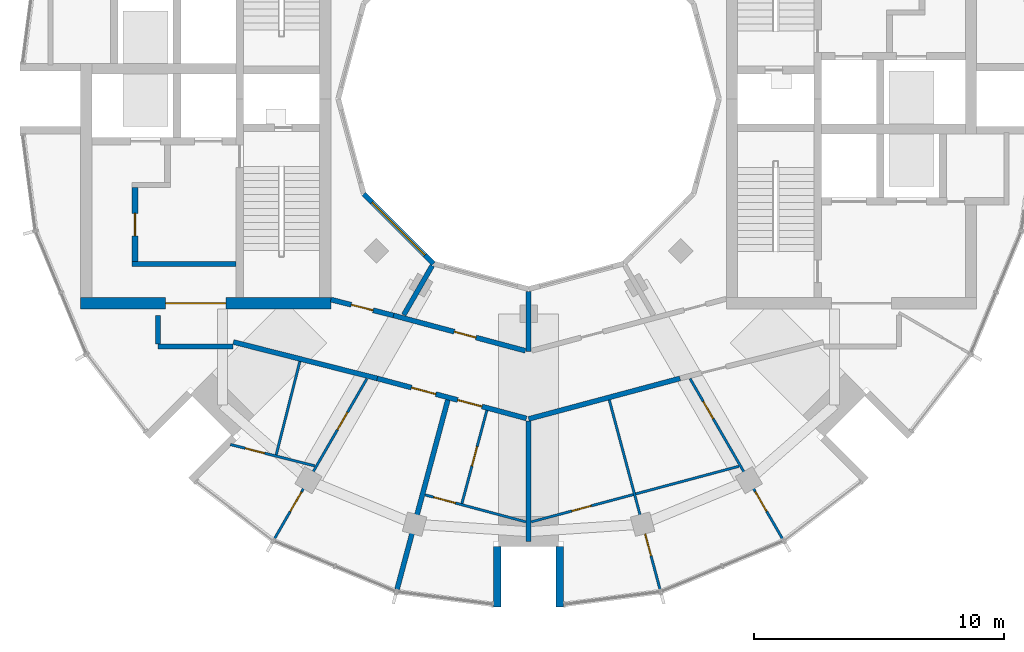
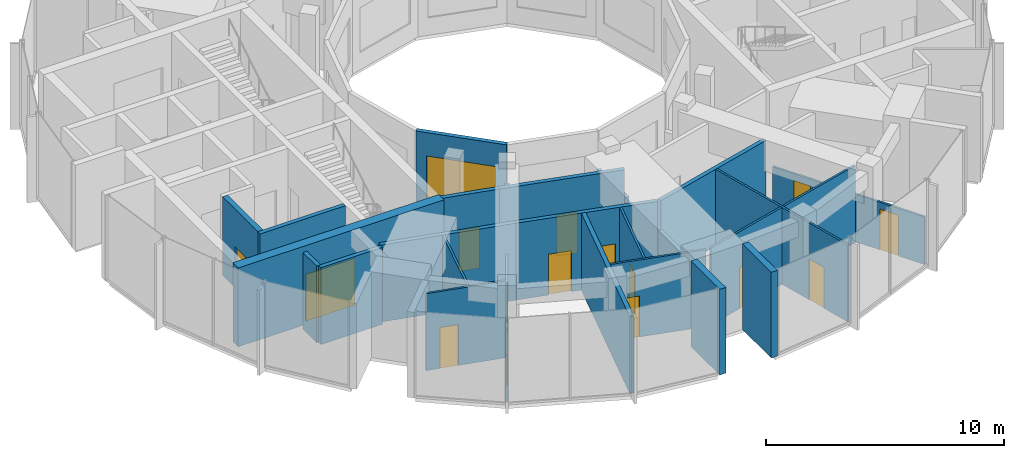
# One storey, part 7 of 13: 25 walls, 15 doors, 1 window, 16 openings.
"""IFC4 building model written with IfcOpenShell, lengths in metres."""

from ifc_helpers import new_model, si_unit, direction, frame, frame_2d, origin, place, context, subcontext, project, spatial, rectangle, extrude, material, layer, layer_set, type_object, element, fill, save


model = new_model("IFC4")

# Units and contexts
model_context = context("Model", 3, precision=1e-05, world=origin(), true_north=direction((0.0, 1.0)))
body_context = subcontext(model_context, "Body", "Model", "MODEL_VIEW")
ifc_project = project(units=[si_unit("LENGTHUNIT", "METRE"), si_unit("AREAUNIT", "SQUARE_METRE"), si_unit("VOLUMEUNIT", "CUBIC_METRE"), si_unit("PLANEANGLEUNIT", "RADIAN"), si_unit("MASSUNIT", "GRAM", prefix="KILO")], contexts=[model_context])

# Site, building, storey
site_placement = place(None, origin())
site = spatial("IfcSite", under=ifc_project, at=site_placement, CompositionType="ELEMENT")
building_placement = place(site_placement, origin())
building = spatial("IfcBuilding", under=site, at=building_placement, Name="Torre Brocal", CompositionType="ELEMENT")
storey_placement = place(building_placement, frame((0.0, 0.0, 323.699951171875)))
storey = spatial("IfcBuildingStorey", under=building, at=storey_placement, Name="L74", CompositionType="ELEMENT", Elevation=323.699951171875)

# Wall
ifc_material_1 = material(Name="Concrete C50", Category="concrete")
ifc_layer_1 = layer(ifc_material_1, 0.199951171875)
ifc_layer_set_1 = layer_set([ifc_layer_1], Name="Concrete C50")
wall_type_1 = type_object("IfcWallType", Name="CORE WALL 200 C50 UNDER 350 SLAB", PredefinedType="SHEAR", material=ifc_layer_set_1)
wall_1_placement = place(storey_placement, frame((68.300048828125, 68.39990234375, 0.0), z_axis=(0.0, 0.0, 1.0), x_axis=(-1.0, 0.0, 0.0)))
element("IfcWall", 1, at=wall_1_placement, inside=storey, type_object=wall_type_1, Name="Wall CW200-50-S350", PredefinedType="SHEAR", context=body_context, shape_type="SweptSolid", body=[
    extrude(rectangle(XDim=4.150146484375, YDim=0.199951171875, at=frame_2d((2.0751953125, 0.0))), origin(), (0.0, 0.0, 1.0), 4.050048828125),
])

# Wall, opening, door
ifc_material_2 = material(Name="Concrete C50", Category="concrete")
ifc_layer_2 = layer(ifc_material_2, 0.25)
ifc_layer_set_2 = layer_set([ifc_layer_2], Name="Concrete C50")
wall_type_2 = type_object("IfcWallType", Name="CORE WALL 250 C50 UNDER 350 SLAB", PredefinedType="SHEAR", material=ifc_layer_set_2)
wall_2_placement = place(storey_placement, frame((64.27490234375, 71.449951171875, 0.0), z_axis=(0.0, 0.0, 1.0), x_axis=(0.0, -1.0, 0.0)))
wall_2 = element("IfcWall", 2, at=wall_2_placement, inside=storey, type_object=wall_type_2, Name="Wall CW250-50-S350", PredefinedType="SHEAR", context=body_context, shape_type="SweptSolid", body=[
    extrude(rectangle(XDim=2.949951171875, YDim=0.25, at=frame_2d((1.47509765625, 0.0))), origin(), (0.0, 0.0, 1.0), 4.050048828125),
])
opening_1_placement = place(wall_2_placement, frame((1.02490234375, 0.0, 0.0)))
opening_1 = element("IfcOpeningElement", 3, at=opening_1_placement, cuts=wall_2, Name="Opening W-D19", PredefinedType="OPENING", context=body_context, shape_type="SweptSolid", body=[
    extrude(rectangle(XDim=0.89990234375, YDim=2.10009765625, at=frame_2d((0.449951171875, 1.050048828125))), frame((0.0, 0.135009765625, 0.0), z_axis=(0.0, -1.0, 0.0), x_axis=(1.0, 0.0, 0.0)), (0.0, 0.0, 1.0), 0.27001953125),
])
ifc_material_3 = material(Name="Steel A653", Category="steel")
door_type_1 = type_object("IfcDoorType", Name="LOBBY DOOR FD120 900X2100", OperationType="SINGLE_SWING_RIGHT", PredefinedType="DOOR", material=ifc_material_3)
door_1_placement = place(opening_1_placement, origin())
door_1 = element("IfcDoor", 4, at=door_1_placement, inside=storey, type_object=door_type_1, Name="Door W-D19", OperationType="SINGLE_SWING_LEFT", OverallHeight=2.10009765625, OverallWidth=0.89990234375, PredefinedType="DOOR", context=body_context, shape_type="SweptSolid", body=[
    extrude(rectangle(XDim=0.89990234375, YDim=2.10009765625, at=frame_2d((0.449951171875, 1.050048828125))), frame((0.0, 0.02490234375, 0.0), z_axis=(0.0, -1.0, 0.0), x_axis=(1.0, 0.0, 0.0)), (0.0, 0.0, 1.0), 0.050048828125),
])
fill(opening_1, door_1)

ifc_material_4 = material(Name="Concrete C50", Category="concrete")
ifc_layer_3 = layer(ifc_material_4, 0.449951171875)
ifc_layer_set_3 = layer_set([ifc_layer_3], Name="Concrete C50")
wall_type_3 = type_object("IfcWallType", Name="CORE WALL 450 C50 UNDER 350 SLAB", PredefinedType="SHEAR", material=ifc_layer_set_3)
wall_3_placement = place(storey_placement, frame((72.10009765625, 66.824951171875, 0.0), z_axis=(0.0, 0.0, 1.0), x_axis=(-1.0, 0.0, 0.0)))
wall_3 = element("IfcWall", 5, at=wall_3_placement, inside=storey, type_object=wall_type_3, Name="Wall CW450-50-S350", PredefinedType="SHEAR", context=body_context, shape_type="SweptSolid", body=[
    extrude(rectangle(XDim=10.0, YDim=0.449951171875, at=frame_2d((5.0, 0.0))), origin(), (0.0, 0.0, 1.0), 4.050048828125),
])
opening_2_placement = place(wall_3_placement, frame((4.199951171875, 0.0, 0.0)))
opening_2 = element("IfcOpeningElement", 6, at=opening_2_placement, cuts=wall_3, Name="Opening W-D23", PredefinedType="OPENING", context=body_context, shape_type="SweptSolid", body=[
    extrude(rectangle(XDim=2.39990234375, YDim=2.39990234375, at=frame_2d((1.199951171875, 1.199951171875))), frame((0.0, 0.23486328125, 0.0), z_axis=(0.0, -1.0, 0.0), x_axis=(1.0, 0.0, 0.0)), (0.0, 0.0, 1.0), 0.469970703125),
])
ifc_material_5 = material(Name="Steel A653", Category="steel")
door_type_2 = type_object("IfcDoorType", Name="DOUBLE FIRE DOOR FD90 2400X2400", OperationType="DOUBLE_DOOR_SINGLE_SWING", PredefinedType="DOOR", material=ifc_material_5)
door_2_placement = place(opening_2_placement, frame((2.39990234375, 0.0, 0.0), z_axis=(0.0, 0.0, 1.0), x_axis=(-1.0, 0.0, 0.0)))
door_2 = element("IfcDoor", 7, at=door_2_placement, inside=storey, type_object=door_type_2, Name="Door W-D23", OperationType="DOUBLE_DOOR_SINGLE_SWING", OverallHeight=2.39990234375, OverallWidth=2.39990234375, PredefinedType="DOOR", context=body_context, shape_type="SweptSolid", body=[
    extrude(rectangle(XDim=2.39990234375, YDim=2.39990234375, at=frame_2d((1.199951171875, 1.199951171875))), frame((0.0, 0.02490234375, 0.0), z_axis=(0.0, -1.0, 0.0), x_axis=(1.0, 0.0, 0.0)), (0.0, 0.0, 1.0), 0.050048828125),
])
fill(opening_2, door_2)

# Walls
ifc_material_6 = material(Name="Concrete C50", Category="concrete")
ifc_layer_4 = layer(ifc_material_6, 0.300048828125)
ifc_layer_set_4 = layer_set([ifc_layer_4], Name="Concrete C50")
wall_type_4 = type_object("IfcWallType", Name="NOTCH RETURN WALL 300 C50", PredefinedType="NOTDEFINED", material=ifc_layer_set_4)
for number, where, z_axis, x_axis, name in (
    (8, (78.75, 57.10009765625, 0.0), (0.0, 0.0, 1.0), (0.0, -1.0, 0.0), "NOTCH RETURN WALL"),
    (9, (81.25, 57.10009765625, 0.0), (0.0, 0.0, 1.0), (0.0, -1.0, 0.0), "NOTCH RETURN WALL"),
):
    element("IfcWall", number, at=place(storey_placement, frame(where, z_axis=z_axis, x_axis=x_axis)), inside=storey, type_object=wall_type_4, Name=name, PredefinedType="NOTDEFINED", context=body_context, shape_type="SweptSolid", body=[
        extrude(rectangle(XDim=2.415771484375, YDim=0.300048828125, at=frame_2d((1.2080078125, 0.0))), origin(), (0.0, 0.0, 1.0), 4.400146484375),
    ])

# Wall, opening, door
ifc_material_7 = material(Name="Gypsum board", Category="Gypsum")
ifc_layer_5 = layer(ifc_material_7, 0.10009765625)
ifc_layer_set_5 = layer_set([ifc_layer_5], Name="Gypsum board")
wall_type_5 = type_object("IfcWallType", Name="PARTITION 100", PredefinedType="PARTITIONING", material=ifc_layer_set_5)
wall_4_placement = place(storey_placement, frame((68.083251953125, 61.18359375, 0.0), z_axis=(0.0, 0.0, 1.0), x_axis=(0.969415105271, -0.245426880503, 0.0)))
wall_4 = element("IfcWall", 10, at=wall_4_placement, inside=storey, type_object=wall_type_5, Name="BATHROOM WALL", PredefinedType="PARTITIONING", context=body_context, shape_type="SweptSolid", body=[
    extrude(rectangle(XDim=3.4755859375, YDim=0.10009765625, at=frame_2d((1.73779296875, 0.0))), origin(), (0.0, 0.0, 1.0), 3.949951171875),
])
opening_3_placement = place(wall_4_placement, frame((0.610107421875, 0.0, 0.0)))
opening_3 = element("IfcOpeningElement", 11, at=opening_3_placement, cuts=wall_4, Name="Opening N05-D29", PredefinedType="OPENING", context=body_context, shape_type="SweptSolid", body=[
    extrude(rectangle(XDim=0.800048828125, YDim=2.10009765625, at=frame_2d((0.39990234375, 1.050048828125))), frame((0.0, 0.06005859375, 0.0), z_axis=(0.0, -1.0, 0.0), x_axis=(1.0, 0.0, 0.0)), (0.0, 0.0, 1.0), 0.1201171875),
])
ifc_material_8 = material(Name="Timber", Category="wood")
door_type_3 = type_object("IfcDoorType", Name="BATHROOM DOOR 800X2100", OperationType="SINGLE_SWING_LEFT", PredefinedType="DOOR", material=ifc_material_8)
door_3_placement = place(opening_3_placement, frame((0.800048828125, 0.0, 0.0), z_axis=(0.0, 0.0, 1.0), x_axis=(-1.0, 0.0, 0.0)))
door_3 = element("IfcDoor", 12, at=door_3_placement, inside=storey, type_object=door_type_3, Name="N05-D29", OperationType="SINGLE_SWING_RIGHT", OverallHeight=2.10009765625, OverallWidth=0.800048828125, PredefinedType="DOOR", context=body_context, shape_type="SweptSolid", body=[
    extrude(rectangle(XDim=0.800048828125, YDim=2.10009765625, at=frame_2d((0.39990234375, 1.050048828125))), frame((0.0, 0.02490234375, 0.0), z_axis=(0.0, -1.0, 0.0), x_axis=(1.0, 0.0, 0.0)), (0.0, 0.0, 1.0), 0.050048828125),
])
fill(opening_3, door_3)

# Wall
wall_5_placement = place(storey_placement, frame((69.914306640625, 60.77197265625, 0.0), z_axis=(0.0, 0.0, 1.0), x_axis=(0.245489008107, 0.969399374303, 0.0)))
element("IfcWall", 13, at=wall_5_placement, inside=storey, type_object=wall_type_5, Name="BATHROOM WALL", PredefinedType="PARTITIONING", context=body_context, shape_type="SweptSolid", body=[
    extrude(rectangle(XDim=3.849853515625, YDim=0.10009765625, at=frame_2d((1.9248046875, 0.0))), origin(), (0.0, 0.0, 1.0), 3.949951171875),
])

# Wall, opening, door
wall_6_placement = place(storey_placement, frame((75.861572265625, 59.171142578125, 0.0), z_axis=(0.0, 0.0, 1.0), x_axis=(0.965961623338, -0.258685411723, 0.0)))
wall_6 = element("IfcWall", 14, at=wall_6_placement, inside=storey, type_object=wall_type_5, Name="BATHROOM WALL", PredefinedType="PARTITIONING", context=body_context, shape_type="SweptSolid", body=[
    extrude(rectangle(XDim=4.17431640625, YDim=0.10009765625, at=frame_2d((2.087158203125, 0.0))), origin(), (0.0, 0.0, 1.0), 3.949951171875),
])
opening_4_placement = place(wall_6_placement, frame((0.36279296875, 0.0, 0.0)))
opening_4 = element("IfcOpeningElement", 15, at=opening_4_placement, cuts=wall_6, Name="Opening N05-D24", PredefinedType="OPENING", context=body_context, shape_type="SweptSolid", body=[
    extrude(rectangle(XDim=0.89990234375, YDim=2.10009765625, at=frame_2d((0.449951171875, 1.050048828125))), frame((0.0, 0.06005859375, 0.0), z_axis=(0.0, -1.0, 0.0), x_axis=(1.0, 0.0, 0.0)), (0.0, 0.0, 1.0), 0.1201171875),
])
ifc_material_9 = material(Name="Timber", Category="wood")
door_type_4 = type_object("IfcDoorType", Name="ROOM DOOR 900X2100", OperationType="SINGLE_SWING_LEFT", PredefinedType="DOOR", material=ifc_material_9)
door_4_placement = place(opening_4_placement, origin())
door_4 = element("IfcDoor", 16, at=door_4_placement, inside=storey, type_object=door_type_4, Name="N05-D24", OperationType="SINGLE_SWING_RIGHT", OverallHeight=2.10009765625, OverallWidth=0.89990234375, PredefinedType="DOOR", context=body_context, shape_type="SweptSolid", body=[
    extrude(rectangle(XDim=0.89990234375, YDim=2.10009765625, at=frame_2d((0.449951171875, 1.050048828125))), frame((0.0, 0.02490234375, 0.0), z_axis=(0.0, -1.0, 0.0), x_axis=(1.0, 0.0, 0.0)), (0.0, 0.0, 1.0), 0.050048828125),
])
fill(opening_4, door_4)

wall_7_placement = place(storey_placement, frame((77.3359375, 58.828369140625, 0.0), z_axis=(0.0, 0.0, 1.0), x_axis=(0.25872023695, 0.965952296437, 0.0)))
wall_7 = element("IfcWall", 17, at=wall_7_placement, inside=storey, type_object=wall_type_5, Name="BATHROOM WALL", PredefinedType="PARTITIONING", context=body_context, shape_type="SweptSolid", body=[
    extrude(rectangle(XDim=3.85009765625, YDim=0.10009765625, at=frame_2d((1.925048828125, 0.0))), origin(), (0.0, 0.0, 1.0), 3.949951171875),
])
opening_5_placement = place(wall_7_placement, frame((1.550048828125, 0.0, 0.0)))
opening_5 = element("IfcOpeningElement", 18, at=opening_5_placement, cuts=wall_7, Name="Opening N05-D26", PredefinedType="OPENING", context=body_context, shape_type="SweptSolid", body=[
    extrude(rectangle(XDim=0.800048828125, YDim=2.10009765625, at=frame_2d((0.39990234375, 1.050048828125))), frame((0.0, 0.06005859375, 0.0), z_axis=(0.0, -1.0, 0.0), x_axis=(1.0, 0.0, 0.0)), (0.0, 0.0, 1.0), 0.1201171875),
])
door_5_placement = place(opening_5_placement, frame((0.800048828125, 0.0, 0.0), z_axis=(0.0, 0.0, 1.0), x_axis=(-1.0, 0.0, 0.0)))
door_5 = element("IfcDoor", 19, at=door_5_placement, inside=storey, type_object=door_type_3, Name="N05-D26", OperationType="SINGLE_SWING_LEFT", OverallHeight=2.10009765625, OverallWidth=0.800048828125, PredefinedType="DOOR", context=body_context, shape_type="SweptSolid", body=[
    extrude(rectangle(XDim=0.800048828125, YDim=2.10009765625, at=frame_2d((0.39990234375, 1.050048828125))), frame((0.0, 0.02490234375, 0.0), z_axis=(0.0, -1.0, 0.0), x_axis=(1.0, 0.0, 0.0)), (0.0, 0.0, 1.0), 0.050048828125),
])
fill(opening_5, door_5)

wall_8_placement = place(storey_placement, frame((80.106201171875, 58.091552734375, 0.0), z_axis=(0.0, 0.0, 1.0), x_axis=(0.965971139599, 0.258649874274, 0.0)))
wall_8 = element("IfcWall", 20, at=wall_8_placement, inside=storey, type_object=wall_type_5, Name="BATHROOM WALL", PredefinedType="PARTITIONING", context=body_context, shape_type="SweptSolid", body=[
    extrude(rectangle(XDim=8.587646484375, YDim=0.10009765625, at=frame_2d((4.2939453125, 0.0))), origin(), (0.0, 0.0, 1.0), 3.949951171875),
])
opening_6_placement = place(wall_8_placement, frame((1.68212890625, 0.0, 0.0)))
opening_6 = element("IfcOpeningElement", 21, at=opening_6_placement, cuts=wall_8, Name="Opening N05-D22", PredefinedType="OPENING", context=body_context, shape_type="SweptSolid", body=[
    extrude(rectangle(XDim=0.800048828125, YDim=2.10009765625, at=frame_2d((0.39990234375, 1.050048828125))), frame((0.0, 0.06005859375, 0.0), z_axis=(0.0, -1.0, 0.0), x_axis=(1.0, 0.0, 0.0)), (0.0, 0.0, 1.0), 0.1201171875),
])
door_6_placement = place(opening_6_placement, origin())
door_6 = element("IfcDoor", 22, at=door_6_placement, inside=storey, type_object=door_type_3, Name="N05-D22", OperationType="SINGLE_SWING_LEFT", OverallHeight=2.10009765625, OverallWidth=0.800048828125, PredefinedType="DOOR", context=body_context, shape_type="SweptSolid", body=[
    extrude(rectangle(XDim=0.800048828125, YDim=2.10009765625, at=frame_2d((0.39990234375, 1.050048828125))), frame((0.0, 0.02490234375, 0.0), z_axis=(0.0, -1.0, 0.0), x_axis=(1.0, 0.0, 0.0)), (0.0, 0.0, 1.0), 0.050048828125),
])
fill(opening_6, door_6)

wall_9_placement = place(storey_placement, frame((83.224365234375, 62.96435546875, 0.0), z_axis=(0.0, 0.0, 1.0), x_axis=(0.258779160476, -0.96593651246, 0.0)))
wall_9 = element("IfcWall", 23, at=wall_9_placement, inside=storey, type_object=wall_type_5, Name="BATHROOM WALL", PredefinedType="PARTITIONING", context=body_context, shape_type="SweptSolid", body=[
    extrude(rectangle(XDim=7.838134765625, YDim=0.10009765625, at=frame_2d((3.9189453125, 0.0))), origin(), (0.0, 0.0, 1.0), 3.949951171875),
])
opening_7_placement = place(wall_9_placement, frame((5.544189453125, 0.0, 0.0)))
opening_7 = element("IfcOpeningElement", 24, at=opening_7_placement, cuts=wall_9, Name="Opening N05-D21", PredefinedType="OPENING", context=body_context, shape_type="SweptSolid", body=[
    extrude(rectangle(XDim=0.89990234375, YDim=2.10009765625, at=frame_2d((0.449951171875, 1.050048828125))), frame((0.0, 0.06005859375, 0.0), z_axis=(0.0, -1.0, 0.0), x_axis=(1.0, 0.0, 0.0)), (0.0, 0.0, 1.0), 0.1201171875),
])
door_7_placement = place(opening_7_placement, frame((0.89990234375, 0.0, 0.0), z_axis=(0.0, 0.0, 1.0), x_axis=(-1.0, 0.0, 0.0)))
door_7 = element("IfcDoor", 25, at=door_7_placement, inside=storey, type_object=door_type_4, Name="N05-D21", OperationType="SINGLE_SWING_LEFT", OverallHeight=2.10009765625, OverallWidth=0.89990234375, PredefinedType="DOOR", context=body_context, shape_type="SweptSolid", body=[
    extrude(rectangle(XDim=0.89990234375, YDim=2.10009765625, at=frame_2d((0.449951171875, 1.050048828125))), frame((0.0, 0.02490234375, 0.0), z_axis=(0.0, -1.0, 0.0), x_axis=(1.0, 0.0, 0.0)), (0.0, 0.0, 1.0), 0.050048828125),
])
fill(opening_7, door_7)

# Wall, openings, doors
ifc_material_10 = material(Name="Gypsum board", Category="Gypsum")
ifc_layer_6 = layer(ifc_material_10, 0.10009765625)
ifc_layer_set_6 = layer_set([ifc_layer_6], Name="Gypsum board")
wall_type_6 = type_object("IfcWallType", Name="PARTITION 100 UNDER BEAM 1950", PredefinedType="PARTITIONING", material=ifc_layer_set_6)
wall_10_placement = place(storey_placement, frame((69.849365234375, 57.424072265625, 0.0), z_axis=(0.0, 0.0, 1.0), x_axis=(0.500112137663, 0.865960651394, 0.0)))
wall_10 = element("IfcWall", 26, at=wall_10_placement, inside=storey, type_object=wall_type_6, Name="BATHROOM WALL", PredefinedType="PARTITIONING", context=body_context, shape_type="SweptSolid", body=[
    extrude(rectangle(XDim=7.375244140625, YDim=0.10009765625, at=frame_2d((3.6875, 0.0))), origin(), (0.0, 0.0, 1.0), 2.449951171875),
])
opening_8_placement = place(wall_10_placement, frame((1.253662109375, 0.0, 0.0)))
opening_8 = element("IfcOpeningElement", 27, at=opening_8_placement, cuts=wall_10, Name="Opening N05-D28", PredefinedType="OPENING", context=body_context, shape_type="SweptSolid", body=[
    extrude(rectangle(XDim=0.89990234375, YDim=2.10009765625, at=frame_2d((0.449951171875, 1.050048828125))), frame((0.0, 0.06005859375, 0.0), z_axis=(0.0, -1.0, 0.0), x_axis=(1.0, 0.0, 0.0)), (0.0, 0.0, 1.0), 0.1201171875),
])
opening_9_placement = place(wall_10_placement, frame((5.02734375, 0.0, 0.0)))
opening_9 = element("IfcOpeningElement", 28, at=opening_9_placement, cuts=wall_10, Name="Opening N05-D30", PredefinedType="OPENING", context=body_context, shape_type="SweptSolid", body=[
    extrude(rectangle(XDim=0.800048828125, YDim=2.10009765625, at=frame_2d((0.39990234375, 1.050048828125))), frame((0.0, 0.06005859375, 0.0), z_axis=(0.0, -1.0, 0.0), x_axis=(1.0, 0.0, 0.0)), (0.0, 0.0, 1.0), 0.1201171875),
])
door_8_placement = place(opening_9_placement, origin())
door_8 = element("IfcDoor", 29, at=door_8_placement, inside=storey, type_object=door_type_3, Name="N05-D30", OperationType="SINGLE_SWING_RIGHT", OverallHeight=2.10009765625, OverallWidth=0.800048828125, PredefinedType="DOOR", context=body_context, shape_type="SweptSolid", body=[
    extrude(rectangle(XDim=0.800048828125, YDim=2.10009765625, at=frame_2d((0.39990234375, 1.050048828125))), frame((0.0, 0.02490234375, 0.0), z_axis=(0.0, -1.0, 0.0), x_axis=(1.0, 0.0, 0.0)), (0.0, 0.0, 1.0), 0.050048828125),
])
fill(opening_9, door_8)
door_9_placement = place(opening_8_placement, origin())
door_9 = element("IfcDoor", 30, at=door_9_placement, inside=storey, type_object=door_type_4, Name="N05-D28", OperationType="SINGLE_SWING_RIGHT", OverallHeight=2.10009765625, OverallWidth=0.89990234375, PredefinedType="DOOR", context=body_context, shape_type="SweptSolid", body=[
    extrude(rectangle(XDim=0.89990234375, YDim=2.10009765625, at=frame_2d((0.449951171875, 1.050048828125))), frame((0.0, 0.02490234375, 0.0), z_axis=(0.0, -1.0, 0.0), x_axis=(1.0, 0.0, 0.0)), (0.0, 0.0, 1.0), 0.050048828125),
])
fill(opening_8, door_9)

wall_11_placement = place(storey_placement, frame((86.45263671875, 63.81689453125, 0.0), z_axis=(0.0, 0.0, 1.0), x_axis=(0.499822611913, -0.866127794624, 0.0)))
wall_11 = element("IfcWall", 31, at=wall_11_placement, inside=storey, type_object=wall_type_6, Name="BATHROOM WALL", PredefinedType="PARTITIONING", context=body_context, shape_type="SweptSolid", body=[
    extrude(rectangle(XDim=7.385498046875, YDim=0.10009765625, at=frame_2d((3.69287109375, 0.0))), origin(), (0.0, 0.0, 1.0), 2.449951171875),
])
opening_10_placement = place(wall_11_placement, frame((5.22021484375, 0.0, 0.0)))
opening_10 = element("IfcOpeningElement", 32, at=opening_10_placement, cuts=wall_11, Name="Opening N05-D19", PredefinedType="OPENING", context=body_context, shape_type="SweptSolid", body=[
    extrude(rectangle(XDim=0.89990234375, YDim=2.10009765625, at=frame_2d((0.449951171875, 1.050048828125))), frame((0.0, 0.06005859375, 0.0), z_axis=(0.0, -1.0, 0.0), x_axis=(1.0, 0.0, 0.0)), (0.0, 0.0, 1.0), 0.1201171875),
])
opening_11_placement = place(wall_11_placement, frame((1.049560546875, 0.0, 0.0)))
opening_11 = element("IfcOpeningElement", 33, at=opening_11_placement, cuts=wall_11, Name="Opening N05-D20", PredefinedType="OPENING", context=body_context, shape_type="SweptSolid", body=[
    extrude(rectangle(XDim=0.800048828125, YDim=2.10009765625, at=frame_2d((0.39990234375, 1.050048828125))), frame((0.0, 0.06005859375, 0.0), z_axis=(0.0, -1.0, 0.0), x_axis=(1.0, 0.0, 0.0)), (0.0, 0.0, 1.0), 0.1201171875),
])
door_10_placement = place(opening_11_placement, frame((0.800048828125, 0.0, 0.0), z_axis=(0.0, 0.0, 1.0), x_axis=(-1.0, 0.0, 0.0)))
door_10 = element("IfcDoor", 34, at=door_10_placement, inside=storey, type_object=door_type_3, Name="N05-D20", OperationType="SINGLE_SWING_RIGHT", OverallHeight=2.10009765625, OverallWidth=0.800048828125, PredefinedType="DOOR", context=body_context, shape_type="SweptSolid", body=[
    extrude(rectangle(XDim=0.800048828125, YDim=2.10009765625, at=frame_2d((0.39990234375, 1.050048828125))), frame((0.0, 0.02490234375, 0.0), z_axis=(0.0, -1.0, 0.0), x_axis=(1.0, 0.0, 0.0)), (0.0, 0.0, 1.0), 0.050048828125),
])
fill(opening_11, door_10)
door_11_placement = place(opening_10_placement, frame((0.89990234375, 0.0, 0.0), z_axis=(0.0, 0.0, 1.0), x_axis=(-1.0, 0.0, 0.0)))
door_11 = element("IfcDoor", 35, at=door_11_placement, inside=storey, type_object=door_type_4, Name="N05-D19", OperationType="SINGLE_SWING_RIGHT", OverallHeight=2.10009765625, OverallWidth=0.89990234375, PredefinedType="DOOR", context=body_context, shape_type="SweptSolid", body=[
    extrude(rectangle(XDim=0.89990234375, YDim=2.10009765625, at=frame_2d((0.449951171875, 1.050048828125))), frame((0.0, 0.02490234375, 0.0), z_axis=(0.0, -1.0, 0.0), x_axis=(1.0, 0.0, 0.0)), (0.0, 0.0, 1.0), 0.050048828125),
])
fill(opening_10, door_11)

# Walls
ifc_material_11 = material(Name="Gypsum board", Category="Gypsum")
ifc_layer_7 = layer(ifc_material_11, 0.199951171875)
ifc_layer_set_7 = layer_set([ifc_layer_7], Name="Gypsum board")
wall_type_7 = type_object("IfcWallType", Name="PARTITION 200 EI60", PredefinedType="PARTITIONING", material=ifc_layer_set_7)
wall_12_placement = place(storey_placement, frame((65.199951171875, 65.199951171875, 0.0), z_axis=(0.0, 0.0, 1.0), x_axis=(0.0, 1.0, 0.0)))
element("IfcWall", 36, at=wall_12_placement, inside=storey, type_object=wall_type_7, Name="CORRIDOR WALL", PredefinedType="PARTITIONING", context=body_context, shape_type="SweptSolid", body=[
    extrude(rectangle(XDim=1.149169921875, YDim=0.199951171875, at=frame_2d((0.57470703125, 0.0))), origin(), (0.0, 0.0, 1.0), 3.949951171875),
])
wall_13_placement = place(storey_placement, frame((65.199951171875, 65.10009765625, 0.0), z_axis=(0.0, 0.0, 1.0), x_axis=(1.0, 0.0, 0.0)))
element("IfcWall", 37, at=wall_13_placement, inside=storey, type_object=wall_type_7, Name="CORRIDOR WALL", PredefinedType="PARTITIONING", context=body_context, shape_type="SweptSolid", body=[
    extrude(rectangle(XDim=2.97998046875, YDim=0.199951171875, at=frame_2d((1.489990234375, 0.0))), origin(), (0.0, 0.0, 1.0), 3.949951171875),
])
wall_14_placement = place(storey_placement, frame((68.200927734375, 65.280029296875, 0.0), z_axis=(0.0, 0.0, 1.0), x_axis=(0.969421088032, -0.245403247897, 0.0)))
element("IfcWall", 38, at=wall_14_placement, inside=storey, type_object=wall_type_7, Name="FLAT ENTRANCE WALL", PredefinedType="PARTITIONING", context=body_context, shape_type="SweptSolid", body=[
    extrude(rectangle(XDim=5.92724609375, YDim=0.199951171875, at=frame_2d((2.963623046875, 0.0))), origin(), (0.0, 0.0, 1.0), 3.949951171875),
])

# Wall, opening, door
wall_15_placement = place(storey_placement, frame((72.10009765625, 66.97509765625, 0.0), z_axis=(0.0, 0.0, 1.0), x_axis=(0.969471314457, -0.245204752086, 0.0)))
wall_15 = element("IfcWall", 39, at=wall_15_placement, inside=storey, type_object=wall_type_7, Name="CORRIDOR WALL", PredefinedType="PARTITIONING", context=body_context, shape_type="SweptSolid", body=[
    extrude(rectangle(XDim=2.581787109375, YDim=0.199951171875, at=frame_2d((1.291015625, 0.0))), origin(), (0.0, 0.0, 1.0), 3.949951171875),
])
opening_12_placement = place(wall_15_placement, frame((0.8408203125, 0.0, 0.0)))
opening_12 = element("IfcOpeningElement", 40, at=opening_12_placement, cuts=wall_15, Name="Opening N05-D34", PredefinedType="OPENING", context=body_context, shape_type="SweptSolid", body=[
    extrude(rectangle(XDim=0.89990234375, YDim=2.10009765625, at=frame_2d((0.449951171875, 1.050048828125))), frame((0.0, 0.10986328125, 0.0), z_axis=(0.0, -1.0, 0.0), x_axis=(1.0, 0.0, 0.0)), (0.0, 0.0, 1.0), 0.219970703125),
])
door_12_placement = place(opening_12_placement, origin())
door_12 = element("IfcDoor", 41, at=door_12_placement, inside=storey, type_object=door_type_4, Name="N05-D34", OperationType="SINGLE_SWING_LEFT", OverallHeight=2.10009765625, OverallWidth=0.89990234375, PredefinedType="DOOR", context=body_context, shape_type="SweptSolid", body=[
    extrude(rectangle(XDim=0.89990234375, YDim=2.10009765625, at=frame_2d((0.449951171875, 1.050048828125))), frame((0.0, 0.02490234375, 0.0), z_axis=(0.0, -1.0, 0.0), x_axis=(1.0, 0.0, 0.0)), (0.0, 0.0, 1.0), 0.050048828125),
])
fill(opening_12, door_12)

# Wall, openings, doors
wall_16_placement = place(storey_placement, frame((73.947021484375, 63.826171875, 0.0), z_axis=(0.0, 0.0, 1.0), x_axis=(0.965894934009, -0.25893430915, 0.0)))
wall_16 = element("IfcWall", 42, at=wall_16_placement, inside=storey, type_object=wall_type_7, Name="FLAT ENTRANCE WALL", PredefinedType="PARTITIONING", context=body_context, shape_type="SweptSolid", body=[
    extrude(rectangle(XDim=6.1767578125, YDim=0.199951171875, at=frame_2d((3.08837890625, 0.0))), origin(), (0.0, 0.0, 1.0), 3.949951171875),
])
opening_13_placement = place(wall_16_placement, frame((3.336181640625, 0.0, 0.0)))
opening_13 = element("IfcOpeningElement", 43, at=opening_13_placement, cuts=wall_16, Name="Opening N05-D25", PredefinedType="OPENING", context=body_context, shape_type="SweptSolid", body=[
    extrude(rectangle(XDim=1.0, YDim=2.10009765625, at=frame_2d((0.5, 1.050048828125))), frame((0.0, 0.10986328125, 0.0), z_axis=(0.0, -1.0, 0.0), x_axis=(1.0, 0.0, 0.0)), (0.0, 0.0, 1.0), 0.219970703125),
])
opening_14_placement = place(wall_16_placement, frame((1.42431640625, 0.0, 0.0)))
opening_14 = element("IfcOpeningElement", 44, at=opening_14_placement, cuts=wall_16, Name="Opening N05-D27", PredefinedType="OPENING", context=body_context, shape_type="SweptSolid", body=[
    extrude(rectangle(XDim=1.0, YDim=2.10009765625, at=frame_2d((0.5, 1.050048828125))), frame((0.0, 0.10986328125, 0.0), z_axis=(0.0, -1.0, 0.0), x_axis=(1.0, 0.0, 0.0)), (0.0, 0.0, 1.0), 0.219970703125),
])
ifc_material_12 = material(Name="Timber", Category="wood")
door_type_5 = type_object("IfcDoorType", Name="FLAT ENTRY DOOR FD30S 1000X2100", OperationType="SINGLE_SWING_RIGHT", PredefinedType="DOOR", material=ifc_material_12)
door_13_placement = place(opening_13_placement, frame((1.0, 0.0, 0.0), z_axis=(0.0, 0.0, 1.0), x_axis=(-1.0, 0.0, 0.0)))
door_13 = element("IfcDoor", 45, at=door_13_placement, inside=storey, type_object=door_type_5, Name="N05-D25", OperationType="SINGLE_SWING_LEFT", OverallHeight=2.10009765625, OverallWidth=1.0, PredefinedType="DOOR", context=body_context, shape_type="SweptSolid", body=[
    extrude(rectangle(XDim=1.0, YDim=2.10009765625, at=frame_2d((0.5, 1.050048828125))), frame((0.0, 0.02490234375, 0.0), z_axis=(0.0, -1.0, 0.0), x_axis=(1.0, 0.0, 0.0)), (0.0, 0.0, 1.0), 0.050048828125),
])
fill(opening_13, door_13)
door_14_placement = place(opening_14_placement, frame((1.0, 0.0, 0.0), z_axis=(0.0, 0.0, 1.0), x_axis=(-1.0, 0.0, 0.0)))
door_14 = element("IfcDoor", 46, at=door_14_placement, inside=storey, type_object=door_type_5, Name="N05-D27", OperationType="SINGLE_SWING_LEFT", OverallHeight=2.10009765625, OverallWidth=1.0, PredefinedType="DOOR", context=body_context, shape_type="SweptSolid", body=[
    extrude(rectangle(XDim=1.0, YDim=2.10009765625, at=frame_2d((0.5, 1.050048828125))), frame((0.0, 0.02490234375, 0.0), z_axis=(0.0, -1.0, 0.0), x_axis=(1.0, 0.0, 0.0)), (0.0, 0.0, 1.0), 0.050048828125),
])
fill(opening_14, door_14)

# Wall, opening, door
wall_17_placement = place(storey_placement, frame((74.60302734375, 66.342041015625, 0.0), z_axis=(0.0, 0.0, 1.0), x_axis=(0.965920893652, -0.258837453254, 0.0)))
wall_17 = element("IfcWall", 47, at=wall_17_placement, inside=storey, type_object=wall_type_7, Name="CORRIDOR WALL", PredefinedType="PARTITIONING", context=body_context, shape_type="SweptSolid", body=[
    extrude(rectangle(XDim=5.45751953125, YDim=0.199951171875, at=frame_2d((2.728759765625, 0.0))), origin(), (0.0, 0.0, 1.0), 3.949951171875),
])
opening_15_placement = place(wall_17_placement, frame((2.512451171875, 0.0, 0.0)))
opening_15 = element("IfcOpeningElement", 48, at=opening_15_placement, cuts=wall_17, Name="Opening N05-D33", PredefinedType="OPENING", context=body_context, shape_type="SweptSolid", body=[
    extrude(rectangle(XDim=0.89990234375, YDim=2.10009765625, at=frame_2d((0.449951171875, 1.050048828125))), frame((0.0, 0.10986328125, 0.0), z_axis=(0.0, -1.0, 0.0), x_axis=(1.0, 0.0, 0.0)), (0.0, 0.0, 1.0), 0.219970703125),
])
door_15_placement = place(opening_15_placement, origin())
door_15 = element("IfcDoor", 49, at=door_15_placement, inside=storey, type_object=door_type_4, Name="N05-D33", OperationType="SINGLE_SWING_LEFT", OverallHeight=2.10009765625, OverallWidth=0.89990234375, PredefinedType="DOOR", context=body_context, shape_type="SweptSolid", body=[
    extrude(rectangle(XDim=0.89990234375, YDim=2.10009765625, at=frame_2d((0.449951171875, 1.050048828125))), frame((0.0, 0.02490234375, 0.0), z_axis=(0.0, -1.0, 0.0), x_axis=(1.0, 0.0, 0.0)), (0.0, 0.0, 1.0), 0.050048828125),
])
fill(opening_15, door_15)

# Walls
wall_18_placement = place(storey_placement, frame((74.743408203125, 55.394287109375, 0.0), z_axis=(0.0, 0.0, 1.0), x_axis=(0.258969103378, 0.965885605802, 0.0)))
element("IfcWall", 50, at=wall_18_placement, inside=storey, type_object=wall_type_7, Name="PARTY PARTITION", PredefinedType="PARTITIONING", context=body_context, shape_type="SweptSolid", body=[
    extrude(rectangle(XDim=7.837890625, YDim=0.199951171875, at=frame_2d((3.9189453125, 0.0))), origin(), (0.0, 0.0, 1.0), 3.949951171875),
])
wall_19_placement = place(storey_placement, frame((80.0, 62.2041015625, 0.0), z_axis=(0.0, 0.0, 1.0), x_axis=(0.965938139786, 0.258773086132, 0.0)))
element("IfcWall", 51, at=wall_19_placement, inside=storey, type_object=wall_type_7, Name="GUESTROOM CORRIDOR WALL", PredefinedType="PARTITIONING", context=body_context, shape_type="SweptSolid", body=[
    extrude(rectangle(XDim=6.266357421875, YDim=0.199951171875, at=frame_2d((3.13330078125, 0.0))), origin(), (0.0, 0.0, 1.0), 3.949951171875),
])
ifc_material_13 = material(Name="Gypsum board", Category="Gypsum")
ifc_layer_8 = layer(ifc_material_13, 0.199951171875)
ifc_layer_set_8 = layer_set([ifc_layer_8], Name="Gypsum board")
wall_type_8 = type_object("IfcWallType", Name="PARTITION 200 EI60 UNDER BEAM 1950", PredefinedType="PARTITIONING", material=ifc_layer_set_8)
wall_20_placement = place(storey_placement, frame((75.011962890625, 66.36328125, 0.0), z_axis=(0.0, 0.0, 1.0), x_axis=(0.500143511652, 0.865942531438, 0.0)))
element("IfcWall", 52, at=wall_20_placement, inside=storey, type_object=wall_type_8, Name="PARTY PARTITION", PredefinedType="PARTITIONING", context=body_context, shape_type="SweptSolid", body=[
    extrude(rectangle(XDim=2.275146484375, YDim=0.199951171875, at=frame_2d((1.1376953125, 0.0))), origin(), (0.0, 0.0, 1.0), 2.449951171875),
])
wall_21_placement = place(storey_placement, frame((80.0, 57.300048828125, 0.0), z_axis=(0.0, 0.0, 1.0), x_axis=(0.0, 1.0, 0.0)))
element("IfcWall", 53, at=wall_21_placement, inside=storey, type_object=wall_type_8, Name="BATHROOM WALL", PredefinedType="PARTITIONING", context=body_context, shape_type="SweptSolid", body=[
    extrude(rectangle(XDim=4.81396484375, YDim=0.199951171875, at=frame_2d((2.406982421875, 0.0))), origin(), (0.0, 0.0, 1.0), 2.449951171875),
])
wall_22_placement = place(storey_placement, frame((80.0, 64.89599609375, 0.0), z_axis=(0.0, 0.0, 1.0), x_axis=(0.0, 1.0, 0.0)))
element("IfcWall", 54, at=wall_22_placement, inside=storey, type_object=wall_type_8, Name="PARTY PARTITION", PredefinedType="PARTITIONING", context=body_context, shape_type="SweptSolid", body=[
    extrude(rectangle(XDim=2.405029296875, YDim=0.199951171875, at=frame_2d((1.20263671875, 0.0))), origin(), (0.0, 0.0, 1.0), 2.449951171875),
])

# Wall, opening, window
ifc_material_14 = material(Name="Concrete C40", Category="concrete")
ifc_layer_9 = layer(ifc_material_14, 0.199951171875)
ifc_layer_set_9 = layer_set([ifc_layer_9], Name="Concrete C40")
wall_type_9 = type_object("IfcWallType", Name="WELL FACADE WALL 200", PredefinedType="NOTDEFINED", material=ifc_layer_set_9)
wall_23_placement = place(storey_placement, frame((73.4150390625, 71.1982421875, 0.0), z_axis=(0.0, 0.0, 1.0), x_axis=(0.707106781187, -0.707106781187, 0.0)))
wall_23 = element("IfcWall", 55, at=wall_23_placement, inside=storey, type_object=wall_type_9, Name="WELL FACADE WALL", PredefinedType="NOTDEFINED", context=body_context, shape_type="SweptSolid", body=[
    extrude(rectangle(XDim=3.93603515625, YDim=0.199951171875, at=frame_2d((1.968017578125, 0.0))), origin(), (0.0, 0.0, 1.0), 4.400146484375),
])
opening_16_placement = place(wall_23_placement, frame((0.468017578125, 0.0, 0.89990234375)))
opening_16 = element("IfcOpeningElement", 56, at=opening_16_placement, cuts=wall_23, Name="Opening W1", PredefinedType="OPENING", context=body_context, shape_type="SweptSolid", body=[
    extrude(rectangle(XDim=3.0, YDim=2.300048828125, at=frame_2d((1.5, 1.14990234375))), frame((0.0, 0.10986328125, 0.0), z_axis=(0.0, -1.0, 0.0), x_axis=(1.0, 0.0, 0.0)), (0.0, 0.0, 1.0), 0.219970703125),
])
ifc_material_15 = material(Name="Aluminium and glass", Category="aluminium")
window_type = type_object("IfcWindowType", Name="WELL WINDOW 3000X2300", PartitioningType="SINGLE_PANEL", PredefinedType="WINDOW", material=ifc_material_15)
window_placement = place(opening_16_placement, origin())
window = element("IfcWindow", 57, at=window_placement, inside=storey, type_object=window_type, Name="WELL WINDOW 3000X2300", OverallHeight=2.300048828125, OverallWidth=3.0, PartitioningType="SINGLE_PANEL", PredefinedType="WINDOW", context=body_context, shape_type="SweptSolid", body=[
    extrude(rectangle(XDim=3.0, YDim=2.300048828125, at=frame_2d((1.5, 1.14990234375))), frame((0.0, 0.030029296875, 0.0), z_axis=(0.0, -1.0, 0.0), x_axis=(1.0, 0.0, 0.0)), (0.0, 0.0, 1.0), 0.06005859375),
])
fill(opening_16, window)

save(model, "model.ifc")
